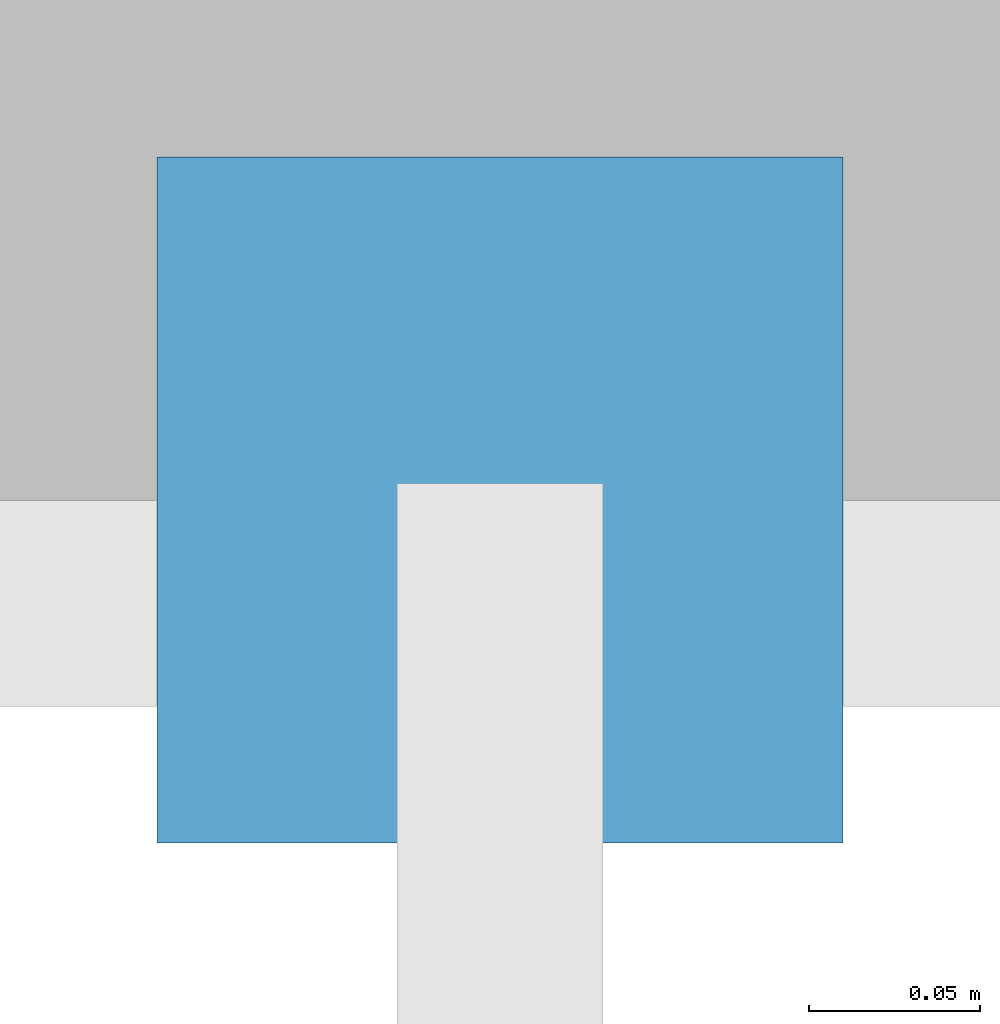
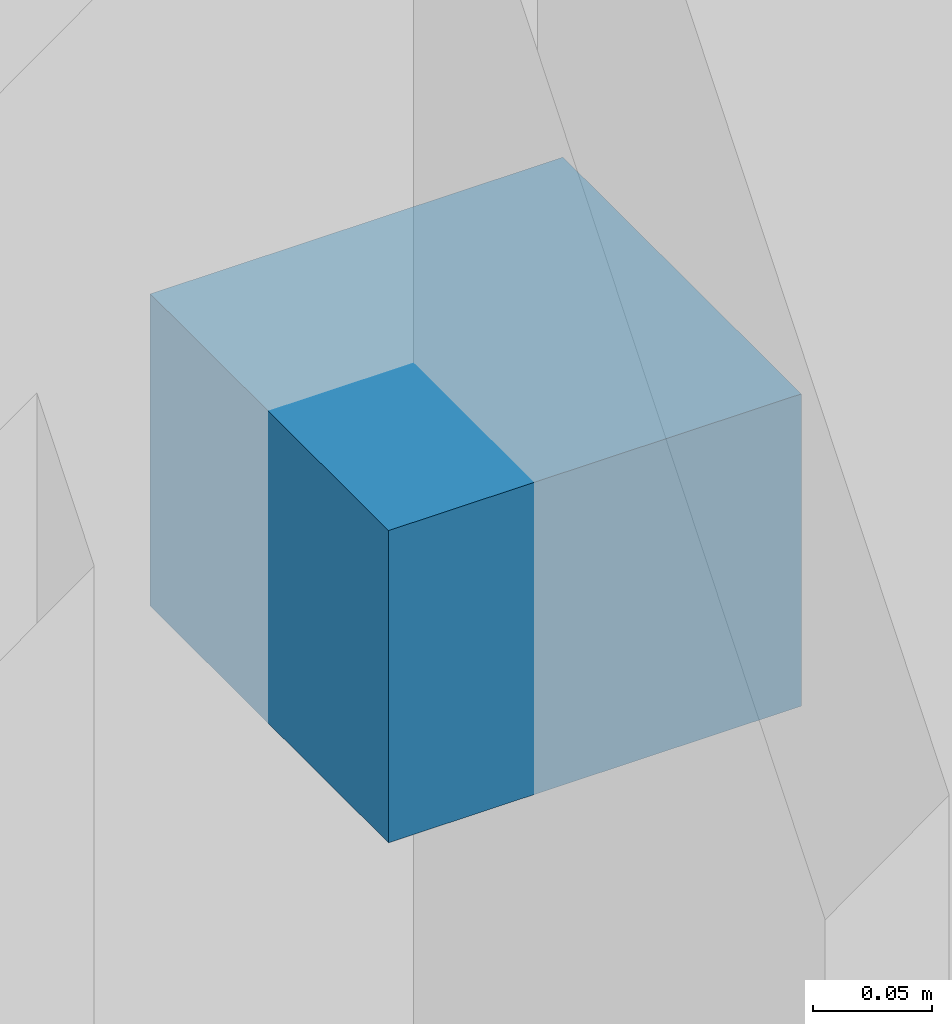
# One storey, part 44 of 46: 1 discrete accessory.
"""IFC4 building model written with IfcOpenShell, lengths in metres."""

from ifc_helpers import new_model, si_unit, direction, frame, origin, origin_2d, place, context, subcontext, project, spatial, rectangle, extrude, material, type_object, element, save


model = new_model("IFC4")

# Units and contexts
model_context = context("Model", 3, precision=1e-05, world=origin(), true_north=direction((0.0, 1.0)))
body_context = subcontext(model_context, "Body", "Model", "MODEL_VIEW")
ifc_project = project(units=[si_unit("LENGTHUNIT", "METRE"), si_unit("AREAUNIT", "SQUARE_METRE"), si_unit("VOLUMEUNIT", "CUBIC_METRE"), si_unit("PLANEANGLEUNIT", "RADIAN"), si_unit("MASSUNIT", "GRAM", prefix="KILO")], contexts=[model_context])

# Site, building, storey
site_placement = place(None, origin())
site = spatial("IfcSite", under=ifc_project, at=site_placement, CompositionType="ELEMENT")
building_placement = place(site_placement, origin())
building = spatial("IfcBuilding", under=site, at=building_placement, Name="Shalkamar Park Central Library", CompositionType="ELEMENT")
storey_placement = place(building_placement, frame((0.0, 0.0, 20.39990234375)))
storey = spatial("IfcBuildingStorey", under=building, at=storey_placement, Name="L05", CompositionType="ELEMENT", Elevation=20.39990234375)

# Discrete accessory
ifc_material = material(Name="Steel S355", Category="steel")
discrete_accessory_type = type_object("IfcDiscreteAccessoryType", Name="Stainless Facade Bracket", PredefinedType="BRACKET", material=ifc_material)
discrete_accessory_placement = place(storey_placement, frame((213.4560546875, 248.31005859375, 1.59423828125), z_axis=(0.0, 0.0, 1.0), x_axis=(1.0, 0.0, 0.0)))
element("IfcDiscreteAccessory", 1, at=discrete_accessory_placement, inside=storey, type_object=discrete_accessory_type, Name="Solar Fin Bracket L05-007", PredefinedType="BRACKET", context=body_context, shape_type="SweptSolid", body=[
    extrude(rectangle(XDim=0.199951171875, YDim=0.199951171875, at=origin_2d()), origin(), (0.0, 0.0, 1.0), 0.159912109375),
])

save(model, "model.ifc")
